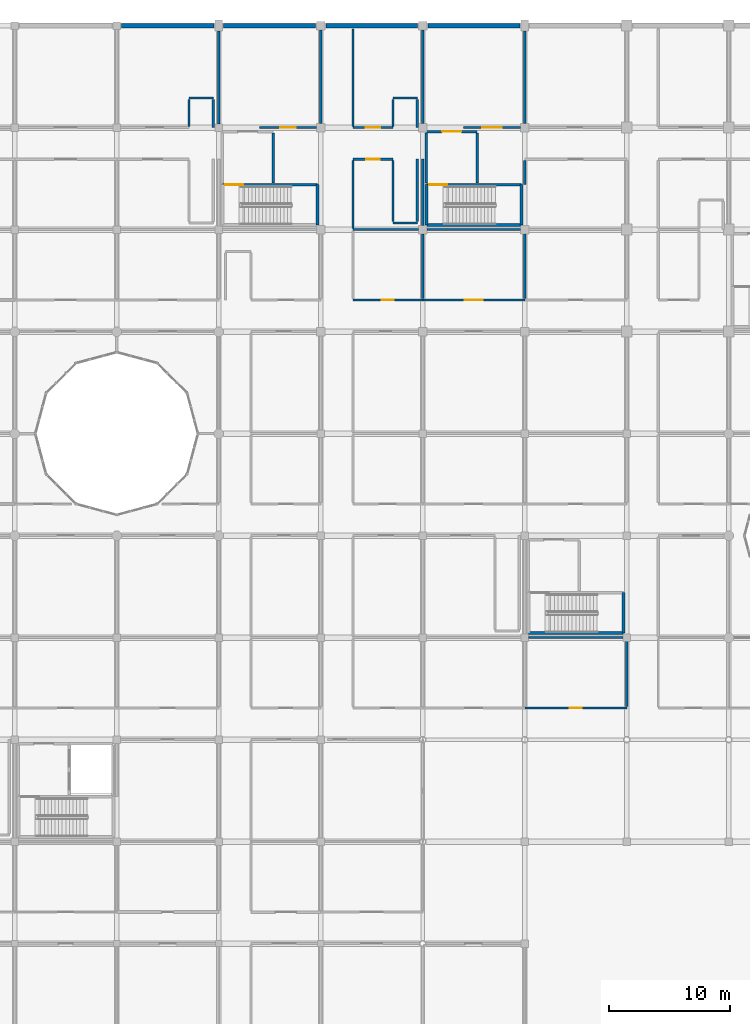
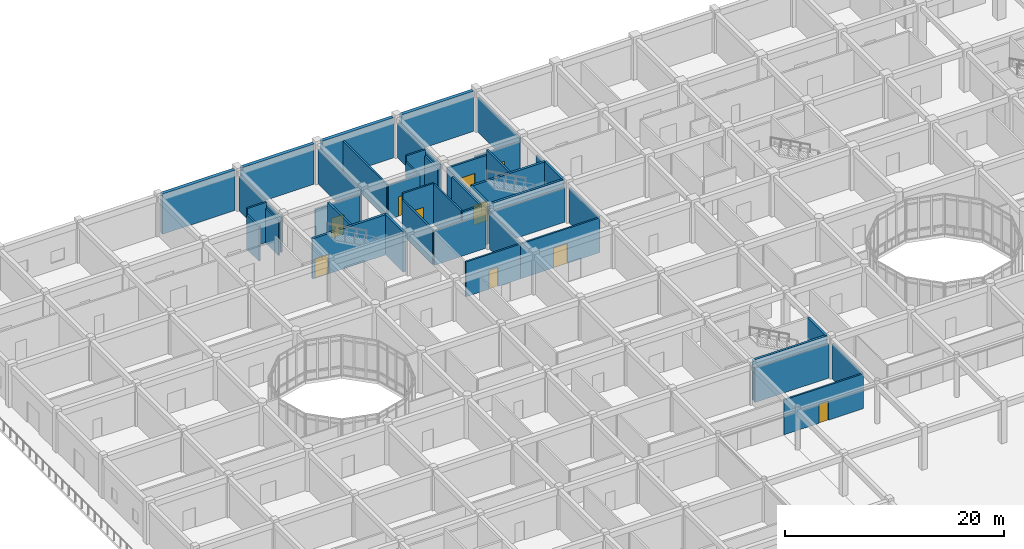
# One storey, part 101 of 138: 46 walls, 10 doors, 10 openings.
"""IFC4 building model written with IfcOpenShell, lengths in metres."""

from ifc_helpers import new_model, si_unit, direction, frame, frame_2d, origin, place, context, subcontext, project, spatial, rectangle, extrude, material, layer, layer_set, type_object, element, fill, save


model = new_model("IFC4")

# Units and contexts
model_context = context("Model", 3, precision=1e-05, world=origin(), true_north=direction((0.0, 1.0)))
body_context = subcontext(model_context, "Body", "Model", "MODEL_VIEW")
ifc_project = project(units=[si_unit("LENGTHUNIT", "METRE"), si_unit("AREAUNIT", "SQUARE_METRE"), si_unit("VOLUMEUNIT", "CUBIC_METRE"), si_unit("PLANEANGLEUNIT", "RADIAN"), si_unit("MASSUNIT", "GRAM", prefix="KILO")], contexts=[model_context])

# Site, building, storey
site_placement = place(None, origin())
site = spatial("IfcSite", under=ifc_project, at=site_placement, CompositionType="ELEMENT")
building_placement = place(site_placement, origin())
building = spatial("IfcBuilding", under=site, at=building_placement, Name="Bramfleet General Hospital", CompositionType="ELEMENT")
storey_placement = place(building_placement, origin())
storey = spatial("IfcBuildingStorey", under=building, at=storey_placement, Name="L00", CompositionType="ELEMENT", Elevation=0.0)

# Walls
ifc_material_1 = material(Name="Concrete C35/45", Category="concrete")
ifc_layer_1 = layer(ifc_material_1, 0.360107421875, Name="WT-EW-02")
ifc_layer_set_1 = layer_set([ifc_layer_1], Name="Concrete C35/45")
wall_type_1 = type_object("IfcWallType", Name="WT-EW-02", PredefinedType="SOLIDWALL", material=ifc_layer_set_1)
wall_1_placement = place(storey_placement, frame((25.574951171875, 117.60009765625, 0.0), z_axis=(0.0, 0.0, 1.0), x_axis=(1.0, 0.0, 0.0)))
element("IfcWall", 1, at=wall_1_placement, inside=storey, type_object=wall_type_1, Name="L00 North REI 90-M Party Wall 108", PredefinedType="SOLIDWALL", context=body_context, shape_type="SweptSolid", body=[
    extrude(rectangle(XDim=7.650146484375, YDim=0.360107421875, at=frame_2d((3.8251953125, 0.0))), origin(), (0.0, 0.0, 1.0), 4.5),
])
wall_2_placement = place(storey_placement, frame((33.97509765625, 117.60009765625, 0.0), z_axis=(0.0, 0.0, 1.0), x_axis=(1.0, 0.0, 0.0)))
element("IfcWall", 2, at=wall_2_placement, inside=storey, type_object=wall_type_1, Name="L00 North REI 90-M Party Wall 109", PredefinedType="SOLIDWALL", context=body_context, shape_type="SweptSolid", body=[
    extrude(rectangle(XDim=7.599853515625, YDim=0.360107421875, at=frame_2d((3.7998046875, 0.0))), origin(), (0.0, 0.0, 1.0), 4.5),
])
wall_3_placement = place(storey_placement, frame((42.425048828125, 117.60009765625, 0.0), z_axis=(0.0, 0.0, 1.0), x_axis=(1.0, 0.0, 0.0)))
element("IfcWall", 3, at=wall_3_placement, inside=storey, type_object=wall_type_1, Name="L00 North REI 90-M Party Wall 110", PredefinedType="SOLIDWALL", context=body_context, shape_type="SweptSolid", body=[
    extrude(rectangle(XDim=7.550048828125, YDim=0.360107421875, at=frame_2d((3.77490234375, 0.0))), origin(), (0.0, 0.0, 1.0), 4.5),
])
wall_4_placement = place(storey_placement, frame((50.824951171875, 117.60009765625, 0.0), z_axis=(0.0, 0.0, 1.0), x_axis=(1.0, 0.0, 0.0)))
element("IfcWall", 4, at=wall_4_placement, inside=storey, type_object=wall_type_1, Name="L00 North REI 90-M Party Wall 111", PredefinedType="SOLIDWALL", context=body_context, shape_type="SweptSolid", body=[
    extrude(rectangle(XDim=7.60009765625, YDim=0.360107421875, at=frame_2d((3.800048828125, 0.0))), origin(), (0.0, 0.0, 1.0), 4.5),
])
ifc_layer_2 = layer(ifc_material_1, 0.205078125, Name="WT-IW-02")
ifc_layer_set_2 = layer_set([ifc_layer_2], Name="Concrete C35/45")
wall_type_2 = type_object("IfcWallType", Name="WT-IW-02", PredefinedType="PARTITIONING", material=ifc_layer_set_2)
for number, where, z_axis, x_axis, name in (
    (5, (38.080078125, 104.639892578125, 0.0), (0.0, 0.0, 1.0), (0.0, 1.0, 0.0), "L00 C8 Lobby East Shaft Wall"),
    (6, (54.8798828125, 104.639892578125, 0.0), (0.0, 0.0, 1.0), (0.0, 1.0, 0.0), "L00 C14 Lobby East Shaft Wall"),
):
    element("IfcWall", number, at=place(storey_placement, frame(where, z_axis=z_axis, x_axis=x_axis)), inside=storey, type_object=wall_type_2, Name=name, PredefinedType="PARTITIONING", context=body_context, shape_type="SweptSolid", body=[
        extrude(rectangle(XDim=4.1201171875, YDim=0.205078125, at=frame_2d((2.06005859375, 0.0))), origin(), (0.0, 0.0, 1.0), 4.489990234375),
    ])
wall_5_placement = place(storey_placement, frame((50.699951171875, 104.639892578125, 0.0), z_axis=(0.0, 0.0, 1.0), x_axis=(0.0, 1.0, 0.0)))
element("IfcWall", 7, at=wall_5_placement, inside=storey, type_object=wall_type_2, Name="L00 C14 Lobby West Compartment Wall", PredefinedType="PARTITIONING", context=body_context, shape_type="SweptSolid", body=[
    extrude(rectangle(XDim=4.1201171875, YDim=0.205078125, at=frame_2d((2.06005859375, 0.0))), origin(), (0.0, 0.0, 1.0), 3.889892578125),
])

# Wall, opening, door
wall_6_placement = place(storey_placement, frame((50.699951171875, 108.8798828125, 0.0), z_axis=(0.0, 0.0, 1.0), x_axis=(1.0, 0.0, 0.0)))
wall_6 = element("IfcWall", 8, at=wall_6_placement, inside=storey, type_object=wall_type_2, Name="L00 C14 Lobby North Compartment Wall", PredefinedType="PARTITIONING", context=body_context, shape_type="SweptSolid", body=[
    extrude(rectangle(XDim=4.179931640625, YDim=0.205078125, at=frame_2d((2.08984375, 0.0))), origin(), (0.0, 0.0, 1.0), 3.840087890625),
])
opening_1_placement = place(wall_6_placement, frame((1.2900390625, 0.0, 0.0)))
opening_1 = element("IfcOpeningElement", 9, at=opening_1_placement, cuts=wall_6, Name="Opening D0178", PredefinedType="OPENING", context=body_context, shape_type="SweptSolid", body=[
    extrude(rectangle(XDim=1.60009765625, YDim=2.25, at=frame_2d((0.800048828125, 1.125))), frame((0.0, 0.112548828125, 0.0), z_axis=(0.0, -1.0, 0.0), x_axis=(1.0, 0.0, 0.0)), (0.0, 0.0, 1.0), 0.22509765625),
])
ifc_material_2 = material(Name="Stainless steel and acoustic timber leaf", Category="steel")
door_type_1 = type_object("IfcDoorType", Name="DR-D-04", OperationType="NOTDEFINED", PredefinedType="DOOR", material=ifc_material_2)
door_1_placement = place(opening_1_placement, origin())
door_1 = element("IfcDoor", 10, at=door_1_placement, inside=storey, type_object=door_type_1, Name="L00 C14 Lobby Fire Door D0178", OperationType="DOUBLE_SWING_LEFT", OverallHeight=2.25, OverallWidth=1.60009765625, PredefinedType="DOOR", context=body_context, shape_type="SweptSolid", body=[
    extrude(rectangle(XDim=1.60009765625, YDim=2.25, at=frame_2d((0.800048828125, 1.125))), frame((0.0, 0.02490234375, 0.0), z_axis=(0.0, -1.0, 0.0), x_axis=(1.0, 0.0, 0.0)), (0.0, 0.0, 1.0), 0.050048828125),
])
fill(opening_1, door_1)

ifc_layer_3 = layer(ifc_material_1, 0.179931640625, Name="WT-IW-04")
ifc_layer_set_3 = layer_set([ifc_layer_3], Name="Concrete C35/45")
wall_type_3 = type_object("IfcWallType", Name="WT-IW-04", PredefinedType="PARTITIONING", material=ifc_layer_set_3)
wall_7_placement = place(storey_placement, frame((58.800048828125, 61.39990234375, 0.0), z_axis=(0.0, 0.0, 1.0), x_axis=(1.0, 0.0, 0.0)))
wall_7 = element("IfcWall", 11, at=wall_7_placement, inside=storey, type_object=wall_type_3, Name="L00 Interior Partition IW-L00-0727", PredefinedType="PARTITIONING", context=body_context, shape_type="SweptSolid", body=[
    extrude(rectangle(XDim=8.39990234375, YDim=0.179931640625, at=frame_2d((4.199951171875, 0.0))), origin(), (0.0, 0.0, 1.0), 3.889892578125),
])
opening_2_placement = place(wall_7_placement, frame((3.699951171875, 0.0, 0.0)))
opening_2 = element("IfcOpeningElement", 12, at=opening_2_placement, cuts=wall_7, Name="Opening D0488", PredefinedType="OPENING", context=body_context, shape_type="SweptSolid", body=[
    extrude(rectangle(XDim=1.0, YDim=2.14990234375, at=frame_2d((0.5, 1.074951171875))), frame((0.0, 0.099853515625, 0.0), z_axis=(0.0, -1.0, 0.0), x_axis=(1.0, 0.0, 0.0)), (0.0, 0.0, 1.0), 0.199951171875),
])
door_type_2 = type_object("IfcDoorType", Name="DR-D-08", OperationType="NOTDEFINED", PredefinedType="DOOR", material=ifc_material_2)
door_2_placement = place(opening_2_placement, origin())
door_2 = element("IfcDoor", 13, at=door_2_placement, inside=storey, type_object=door_type_2, Name="Diagnostic Ultrasound and Fluoroscopy 0707 Door D0488", OperationType="SINGLE_SWING_LEFT", OverallHeight=2.14990234375, OverallWidth=1.0, PredefinedType="DOOR", context=body_context, shape_type="SweptSolid", body=[
    extrude(rectangle(XDim=1.0, YDim=2.14990234375, at=frame_2d((0.5, 1.074951171875))), frame((0.0, 0.02490234375, 0.0), z_axis=(0.0, -1.0, 0.0), x_axis=(1.0, 0.0, 0.0)), (0.0, 0.0, 1.0), 0.050048828125),
])
fill(opening_2, door_2)

# Wall
wall_8_placement = place(storey_placement, frame((59.094970703125, 67.199951171875, 0.0), z_axis=(0.0, 0.0, 1.0), x_axis=(1.0, 0.0, 0.0)))
element("IfcWall", 14, at=wall_8_placement, inside=storey, type_object=wall_type_3, Name="L00 Interior Partition IW-L00-0742", PredefinedType="PARTITIONING", context=body_context, shape_type="SweptSolid", body=[
    extrude(rectangle(XDim=7.81005859375, YDim=0.179931640625, at=frame_2d((3.905029296875, 0.0))), origin(), (0.0, 0.0, 1.0), 3.840087890625),
])

# Wall, opening, door
wall_9_placement = place(storey_placement, frame((44.64990234375, 95.0, 0.0), z_axis=(0.0, 0.0, 1.0), x_axis=(1.0, 0.0, 0.0)))
wall_9 = element("IfcWall", 15, at=wall_9_placement, inside=storey, type_object=wall_type_3, Name="L00 Interior Partition IW-L00-0825", PredefinedType="PARTITIONING", context=body_context, shape_type="SweptSolid", body=[
    extrude(rectangle(XDim=5.75, YDim=0.179931640625, at=frame_2d((2.875, 0.0))), origin(), (0.0, 0.0, 1.0), 3.889892578125),
])
opening_3_placement = place(wall_9_placement, frame((2.385009765625, 0.0, 0.0)))
opening_3 = element("IfcOpeningElement", 16, at=opening_3_placement, cuts=wall_9, Name="Opening D0474", PredefinedType="OPENING", context=body_context, shape_type="SweptSolid", body=[
    extrude(rectangle(XDim=0.97998046875, YDim=2.1201171875, at=frame_2d((0.489990234375, 1.06005859375))), frame((0.0, 0.099853515625, 0.0), z_axis=(0.0, -1.0, 0.0), x_axis=(1.0, 0.0, 0.0)), (0.0, 0.0, 1.0), 0.199951171875),
])
door_type_3 = type_object("IfcDoorType", Name="DR-D-26", OperationType="NOTDEFINED", PredefinedType="DOOR", material=ifc_material_2)
door_3_placement = place(opening_3_placement, origin())
door_3 = element("IfcDoor", 17, at=door_3_placement, inside=storey, type_object=door_type_3, Name="Diagnostic Imaging CT and Radiography 0511 Door D0474", OperationType="SINGLE_SWING_LEFT", OverallHeight=2.1201171875, OverallWidth=0.97998046875, PredefinedType="DOOR", context=body_context, shape_type="SweptSolid", body=[
    extrude(rectangle(XDim=0.97998046875, YDim=2.1201171875, at=frame_2d((0.489990234375, 1.06005859375))), frame((0.0, 0.02490234375, 0.0), z_axis=(0.0, -1.0, 0.0), x_axis=(1.0, 0.0, 0.0)), (0.0, 0.0, 1.0), 0.050048828125),
])
fill(opening_3, door_3)

wall_10_placement = place(storey_placement, frame((50.39990234375, 95.0, 0.0), z_axis=(0.0, 0.0, 1.0), x_axis=(1.0, 0.0, 0.0)))
wall_10 = element("IfcWall", 18, at=wall_10_placement, inside=storey, type_object=wall_type_3, Name="L00 Interior Partition IW-L00-0826", PredefinedType="PARTITIONING", context=body_context, shape_type="SweptSolid", body=[
    extrude(rectangle(XDim=8.400146484375, YDim=0.179931640625, at=frame_2d((4.2001953125, 0.0))), origin(), (0.0, 0.0, 1.0), 3.889892578125),
])
opening_4_placement = place(wall_10_placement, frame((3.47509765625, 0.0, 0.0)))
opening_4 = element("IfcOpeningElement", 19, at=opening_4_placement, cuts=wall_10, Name="Opening D0483", PredefinedType="OPENING", context=body_context, shape_type="SweptSolid", body=[
    extrude(rectangle(XDim=1.449951171875, YDim=2.199951171875, at=frame_2d((0.72509765625, 1.10009765625))), frame((0.0, 0.099853515625, 0.0), z_axis=(0.0, -1.0, 0.0), x_axis=(1.0, 0.0, 0.0)), (0.0, 0.0, 1.0), 0.199951171875),
])
door_type_4 = type_object("IfcDoorType", Name="DR-D-03", OperationType="NOTDEFINED", PredefinedType="DOOR", material=ifc_material_2)
door_4_placement = place(opening_4_placement, origin())
door_4 = element("IfcDoor", 20, at=door_4_placement, inside=storey, type_object=door_type_4, Name="Diagnostic Imaging CT and Radiography 0611 Door D0483", OperationType="SINGLE_SWING_RIGHT", OverallHeight=2.199951171875, OverallWidth=1.449951171875, PredefinedType="DOOR", context=body_context, shape_type="SweptSolid", body=[
    extrude(rectangle(XDim=1.449951171875, YDim=2.199951171875, at=frame_2d((0.72509765625, 1.10009765625))), frame((0.0, 0.02490234375, 0.0), z_axis=(0.0, -1.0, 0.0), x_axis=(1.0, 0.0, 0.0)), (0.0, 0.0, 1.0), 0.050048828125),
])
fill(opening_4, door_4)

# Walls
wall_11_placement = place(storey_placement, frame((44.64990234375, 100.800048828125, 0.0), z_axis=(0.0, 0.0, 1.0), x_axis=(1.0, 0.0, 0.0)))
element("IfcWall", 21, at=wall_11_placement, inside=storey, type_object=wall_type_3, Name="L00 Interior Partition IW-L00-0844", PredefinedType="PARTITIONING", context=body_context, shape_type="SweptSolid", body=[
    extrude(rectangle(XDim=5.405029296875, YDim=0.179931640625, at=frame_2d((2.70263671875, 0.0))), origin(), (0.0, 0.0, 1.0), 3.840087890625),
])
wall_12_placement = place(storey_placement, frame((50.7451171875, 100.800048828125, 0.0), z_axis=(0.0, 0.0, 1.0), x_axis=(1.0, 0.0, 0.0)))
element("IfcWall", 22, at=wall_12_placement, inside=storey, type_object=wall_type_3, Name="L00 Interior Partition IW-L00-0845", PredefinedType="PARTITIONING", context=body_context, shape_type="SweptSolid", body=[
    extrude(rectangle(XDim=7.7099609375, YDim=0.179931640625, at=frame_2d((3.85498046875, 0.0))), origin(), (0.0, 0.0, 1.0), 3.840087890625),
])
wall_13_placement = place(storey_placement, frame((47.949951171875, 101.35009765625, 0.0), z_axis=(0.0, 0.0, 1.0), x_axis=(1.0, 0.0, 0.0)))
element("IfcWall", 23, at=wall_13_placement, inside=storey, type_object=wall_type_3, Name="L00 Interior Partition IW-L00-0862", PredefinedType="PARTITIONING", context=body_context, shape_type="SweptSolid", body=[
    extrude(rectangle(XDim=2.0, YDim=0.179931640625, at=frame_2d((1.0, 0.0))), origin(), (0.0, 0.0, 1.0), 4.489990234375),
])

# Wall, opening, door
wall_14_placement = place(storey_placement, frame((44.64990234375, 106.60009765625, 0.0), z_axis=(0.0, 0.0, 1.0), x_axis=(1.0, 0.0, 0.0)))
wall_14 = element("IfcWall", 24, at=wall_14_placement, inside=storey, type_object=wall_type_3, Name="L00 Interior Partition IW-L00-0871", PredefinedType="PARTITIONING", context=body_context, shape_type="SweptSolid", body=[
    extrude(rectangle(XDim=3.300048828125, YDim=0.179931640625, at=frame_2d((1.64990234375, 0.0))), origin(), (0.0, 0.0, 1.0), 4.489990234375),
])
opening_5_placement = place(wall_14_placement, frame((1.090087890625, 0.0, 0.0)))
opening_5 = element("IfcOpeningElement", 25, at=opening_5_placement, cuts=wall_14, Name="Opening D0475", PredefinedType="OPENING", context=body_context, shape_type="SweptSolid", body=[
    extrude(rectangle(XDim=1.1201171875, YDim=2.179931640625, at=frame_2d((0.56005859375, 1.08984375))), frame((0.0, 0.099853515625, 0.0), z_axis=(0.0, -1.0, 0.0), x_axis=(1.0, 0.0, 0.0)), (0.0, 0.0, 1.0), 0.199951171875),
])
door_type_5 = type_object("IfcDoorType", Name="DR-D-27", OperationType="NOTDEFINED", PredefinedType="DOOR", material=ifc_material_2)
door_5_placement = place(opening_5_placement, origin())
door_5 = element("IfcDoor", 26, at=door_5_placement, inside=storey, type_object=door_type_5, Name="Diagnostic Imaging CT and Radiography 0512 Door D0475", OperationType="SINGLE_SWING_RIGHT", OverallHeight=2.179931640625, OverallWidth=1.1201171875, PredefinedType="DOOR", context=body_context, shape_type="SweptSolid", body=[
    extrude(rectangle(XDim=1.1201171875, YDim=2.179931640625, at=frame_2d((0.56005859375, 1.08984375))), frame((0.0, 0.02490234375, 0.0), z_axis=(0.0, -1.0, 0.0), x_axis=(1.0, 0.0, 0.0)), (0.0, 0.0, 1.0), 0.050048828125),
])
fill(opening_5, door_5)

wall_15_placement = place(storey_placement, frame((36.949951171875, 109.199951171875, 0.0), z_axis=(0.0, 0.0, 1.0), x_axis=(1.0, 0.0, 0.0)))
wall_15 = element("IfcWall", 27, at=wall_15_placement, inside=storey, type_object=wall_type_3, Name="L00 Interior Partition IW-L00-0889", PredefinedType="PARTITIONING", context=body_context, shape_type="SweptSolid", body=[
    extrude(rectangle(XDim=4.705078125, YDim=0.179931640625, at=frame_2d((2.3525390625, 0.0))), origin(), (0.0, 0.0, 1.0), 3.840087890625),
])
opening_6_placement = place(wall_15_placement, frame((1.7275390625, 0.0, 0.0)))
opening_6 = element("IfcOpeningElement", 28, at=opening_6_placement, cuts=wall_15, Name="Opening D0462", PredefinedType="OPENING", context=body_context, shape_type="SweptSolid", body=[
    extrude(rectangle(XDim=1.25, YDim=2.199951171875, at=frame_2d((0.625, 1.10009765625))), frame((0.0, 0.099853515625, 0.0), z_axis=(0.0, -1.0, 0.0), x_axis=(1.0, 0.0, 0.0)), (0.0, 0.0, 1.0), 0.199951171875),
])
door_type_6 = type_object("IfcDoorType", Name="DR-D-14", OperationType="NOTDEFINED", PredefinedType="DOOR", material=ifc_material_2)
door_6_placement = place(opening_6_placement, origin())
door_6 = element("IfcDoor", 29, at=door_6_placement, inside=storey, type_object=door_type_6, Name="Diagnostic Imaging CT and Radiography 0413 Door D0462", OperationType="SINGLE_SWING_LEFT", OverallHeight=2.199951171875, OverallWidth=1.25, PredefinedType="DOOR", context=body_context, shape_type="SweptSolid", body=[
    extrude(rectangle(XDim=1.25, YDim=2.199951171875, at=frame_2d((0.625, 1.10009765625))), frame((0.0, 0.02490234375, 0.0), z_axis=(0.0, -1.0, 0.0), x_axis=(1.0, 0.0, 0.0)), (0.0, 0.0, 1.0), 0.050048828125),
])
fill(opening_6, door_6)

wall_16_placement = place(storey_placement, frame((44.64990234375, 109.199951171875, 0.0), z_axis=(0.0, 0.0, 1.0), x_axis=(1.0, 0.0, 0.0)))
wall_16 = element("IfcWall", 30, at=wall_16_placement, inside=storey, type_object=wall_type_3, Name="L00 Interior Partition IW-L00-0890", PredefinedType="PARTITIONING", context=body_context, shape_type="SweptSolid", body=[
    extrude(rectangle(XDim=3.300048828125, YDim=0.179931640625, at=frame_2d((1.64990234375, 0.0))), origin(), (0.0, 0.0, 1.0), 3.840087890625),
])
opening_7_placement = place(wall_16_placement, frame((1.06005859375, 0.0, 0.0)))
opening_7 = element("IfcOpeningElement", 31, at=opening_7_placement, cuts=wall_16, Name="Opening D0476", PredefinedType="OPENING", context=body_context, shape_type="SweptSolid", body=[
    extrude(rectangle(XDim=1.179931640625, YDim=2.179931640625, at=frame_2d((0.58984375, 1.08984375))), frame((0.0, 0.099853515625, 0.0), z_axis=(0.0, -1.0, 0.0), x_axis=(1.0, 0.0, 0.0)), (0.0, 0.0, 1.0), 0.199951171875),
])
door_type_7 = type_object("IfcDoorType", Name="DR-D-28", OperationType="NOTDEFINED", PredefinedType="DOOR", material=ifc_material_2)
door_7_placement = place(opening_7_placement, origin())
door_7 = element("IfcDoor", 32, at=door_7_placement, inside=storey, type_object=door_type_7, Name="Diagnostic Imaging CT and Radiography 0513 Door D0476", OperationType="SINGLE_SWING_LEFT", OverallHeight=2.179931640625, OverallWidth=1.179931640625, PredefinedType="DOOR", context=body_context, shape_type="SweptSolid", body=[
    extrude(rectangle(XDim=1.179931640625, YDim=2.179931640625, at=frame_2d((0.58984375, 1.08984375))), frame((0.0, 0.02490234375, 0.0), z_axis=(0.0, -1.0, 0.0), x_axis=(1.0, 0.0, 0.0)), (0.0, 0.0, 1.0), 0.050048828125),
])
fill(opening_7, door_7)

wall_17_placement = place(storey_placement, frame((53.75, 109.199951171875, 0.0), z_axis=(0.0, 0.0, 1.0), x_axis=(1.0, 0.0, 0.0)))
wall_17 = element("IfcWall", 33, at=wall_17_placement, inside=storey, type_object=wall_type_3, Name="L00 Interior Partition IW-L00-0891", PredefinedType="PARTITIONING", context=body_context, shape_type="SweptSolid", body=[
    extrude(rectangle(XDim=4.705078125, YDim=0.179931640625, at=frame_2d((2.3525390625, 0.0))), origin(), (0.0, 0.0, 1.0), 3.840087890625),
])
opening_8_placement = place(wall_17_placement, frame((1.552490234375, 0.0, 0.0)))
opening_8 = element("IfcOpeningElement", 34, at=opening_8_placement, cuts=wall_17, Name="Opening D0484", PredefinedType="OPENING", context=body_context, shape_type="SweptSolid", body=[
    extrude(rectangle(XDim=1.60009765625, YDim=2.25, at=frame_2d((0.800048828125, 1.125))), frame((0.0, 0.099853515625, 0.0), z_axis=(0.0, -1.0, 0.0), x_axis=(1.0, 0.0, 0.0)), (0.0, 0.0, 1.0), 0.199951171875),
])
door_8_placement = place(opening_8_placement, origin())
door_8 = element("IfcDoor", 35, at=door_8_placement, inside=storey, type_object=door_type_1, Name="Diagnostic Imaging CT and Radiography 0613 Door D0484", OperationType="DOUBLE_SWING_LEFT", OverallHeight=2.25, OverallWidth=1.60009765625, PredefinedType="DOOR", context=body_context, shape_type="SweptSolid", body=[
    extrude(rectangle(XDim=1.60009765625, YDim=2.25, at=frame_2d((0.800048828125, 1.125))), frame((0.0, 0.02490234375, 0.0), z_axis=(0.0, -1.0, 0.0), x_axis=(1.0, 0.0, 0.0)), (0.0, 0.0, 1.0), 0.050048828125),
])
fill(opening_8, door_8)

# Walls
for number, where, z_axis, x_axis, name in (
    (36, (31.14990234375, 111.64990234375, 0.0), (0.0, 0.0, 1.0), (1.0, 0.0, 0.0), "L00 Interior Partition IW-L00-0903"),
    (37, (47.949951171875, 111.64990234375, 0.0), (0.0, 0.0, 1.0), (1.0, 0.0, 0.0), "L00 Interior Partition IW-L00-0904"),
):
    element("IfcWall", number, at=place(storey_placement, frame(where, z_axis=z_axis, x_axis=x_axis)), inside=storey, type_object=wall_type_3, Name=name, PredefinedType="PARTITIONING", context=body_context, shape_type="SweptSolid", body=[
        extrude(rectangle(XDim=2.0, YDim=0.179931640625, at=frame_2d((1.0, 0.0))), origin(), (0.0, 0.0, 1.0), 4.489990234375),
    ])
wall_18_placement = place(storey_placement, frame((31.14990234375, 109.31494140625, 0.0), z_axis=(0.0, 0.0, 1.0), x_axis=(0.0, 1.0, 0.0)))
element("IfcWall", 38, at=wall_18_placement, inside=storey, type_object=wall_type_3, Name="L00 Interior Partition IW-L00-0954", PredefinedType="PARTITIONING", context=body_context, shape_type="SweptSolid", body=[
    extrude(rectangle(XDim=2.219970703125, YDim=0.179931640625, at=frame_2d((1.10986328125, 0.0))), origin(), (0.0, 0.0, 1.0), 3.840087890625),
])
wall_19_placement = place(storey_placement, frame((33.14990234375, 109.199951171875, 0.0), z_axis=(0.0, 0.0, 1.0), x_axis=(0.0, 1.0, 0.0)))
element("IfcWall", 39, at=wall_19_placement, inside=storey, type_object=wall_type_3, Name="L00 Interior Partition IW-L00-0956", PredefinedType="PARTITIONING", context=body_context, shape_type="SweptSolid", body=[
    extrude(rectangle(XDim=2.3349609375, YDim=0.179931640625, at=frame_2d((1.16748046875, 0.0))), origin(), (0.0, 0.0, 1.0), 3.840087890625),
])
wall_20_placement = place(storey_placement, frame((33.60009765625, 109.4951171875, 0.0), z_axis=(0.0, 0.0, 1.0), x_axis=(0.0, 1.0, 0.0)))
element("IfcWall", 40, at=wall_20_placement, inside=storey, type_object=wall_type_3, Name="L00 Interior Partition IW-L00-0969", PredefinedType="PARTITIONING", context=body_context, shape_type="SweptSolid", body=[
    extrude(rectangle(XDim=7.659912109375, YDim=0.179931640625, at=frame_2d((3.830078125, 0.0))), origin(), (0.0, 0.0, 1.0), 3.889892578125),
])
wall_21_placement = place(storey_placement, frame((42.0, 109.544921875, 0.0), z_axis=(0.0, 0.0, 1.0), x_axis=(0.0, 1.0, 0.0)))
element("IfcWall", 41, at=wall_21_placement, inside=storey, type_object=wall_type_3, Name="L00 Interior Partition IW-L00-0995", PredefinedType="PARTITIONING", context=body_context, shape_type="SweptSolid", body=[
    extrude(rectangle(XDim=7.7099609375, YDim=0.179931640625, at=frame_2d((3.85498046875, 0.0))), origin(), (0.0, 0.0, 1.0), 3.889892578125),
])
wall_22_placement = place(storey_placement, frame((44.64990234375, 100.9150390625, 0.0), z_axis=(0.0, 0.0, 1.0), x_axis=(0.0, 1.0, 0.0)))
element("IfcWall", 42, at=wall_22_placement, inside=storey, type_object=wall_type_3, Name="L00 Interior Partition IW-L00-1001", PredefinedType="PARTITIONING", context=body_context, shape_type="SweptSolid", body=[
    extrude(rectangle(XDim=5.570068359375, YDim=0.179931640625, at=frame_2d((2.78515625, 0.0))), origin(), (0.0, 0.0, 1.0), 3.840087890625),
])
wall_23_placement = place(storey_placement, frame((44.64990234375, 109.31494140625, 0.0), z_axis=(0.0, 0.0, 1.0), x_axis=(0.0, 1.0, 0.0)))
element("IfcWall", 43, at=wall_23_placement, inside=storey, type_object=wall_type_3, Name="L00 Interior Partition IW-L00-1002", PredefinedType="PARTITIONING", context=body_context, shape_type="SweptSolid", body=[
    extrude(rectangle(XDim=8.005126953125, YDim=0.179931640625, at=frame_2d((4.00244140625, 0.0))), origin(), (0.0, 0.0, 1.0), 3.840087890625),
])
wall_24_placement = place(storey_placement, frame((47.949951171875, 101.465087890625, 0.0), z_axis=(0.0, 0.0, 1.0), x_axis=(0.0, 1.0, 0.0)))
element("IfcWall", 44, at=wall_24_placement, inside=storey, type_object=wall_type_3, Name="L00 Interior Partition IW-L00-1005", PredefinedType="PARTITIONING", context=body_context, shape_type="SweptSolid", body=[
    extrude(rectangle(XDim=5.02001953125, YDim=0.179931640625, at=frame_2d((2.510009765625, 0.0))), origin(), (0.0, 0.0, 1.0), 4.489990234375),
])
wall_25_placement = place(storey_placement, frame((47.949951171875, 109.31494140625, 0.0), z_axis=(0.0, 0.0, 1.0), x_axis=(0.0, 1.0, 0.0)))
element("IfcWall", 45, at=wall_25_placement, inside=storey, type_object=wall_type_3, Name="L00 Interior Partition IW-L00-1006", PredefinedType="PARTITIONING", context=body_context, shape_type="SweptSolid", body=[
    extrude(rectangle(XDim=2.219970703125, YDim=0.179931640625, at=frame_2d((1.10986328125, 0.0))), origin(), (0.0, 0.0, 1.0), 3.840087890625),
])
wall_26_placement = place(storey_placement, frame((49.949951171875, 101.465087890625, 0.0), z_axis=(0.0, 0.0, 1.0), x_axis=(0.0, 1.0, 0.0)))
element("IfcWall", 46, at=wall_26_placement, inside=storey, type_object=wall_type_3, Name="L00 Interior Partition IW-L00-1009", PredefinedType="PARTITIONING", context=body_context, shape_type="SweptSolid", body=[
    extrude(rectangle(XDim=5.135009765625, YDim=0.179931640625, at=frame_2d((2.5673828125, 0.0))), origin(), (0.0, 0.0, 1.0), 4.489990234375),
])
wall_27_placement = place(storey_placement, frame((49.949951171875, 109.199951171875, 0.0), z_axis=(0.0, 0.0, 1.0), x_axis=(0.0, 1.0, 0.0)))
element("IfcWall", 47, at=wall_27_placement, inside=storey, type_object=wall_type_3, Name="L00 Interior Partition IW-L00-1010", PredefinedType="PARTITIONING", context=body_context, shape_type="SweptSolid", body=[
    extrude(rectangle(XDim=2.3349609375, YDim=0.179931640625, at=frame_2d((1.16748046875, 0.0))), origin(), (0.0, 0.0, 1.0), 3.840087890625),
])
wall_28_placement = place(storey_placement, frame((50.39990234375, 95.114990234375, 0.0), z_axis=(0.0, 0.0, 1.0), x_axis=(0.0, 1.0, 0.0)))
element("IfcWall", 48, at=wall_28_placement, inside=storey, type_object=wall_type_3, Name="L00 Interior Partition IW-L00-1020", PredefinedType="PARTITIONING", context=body_context, shape_type="SweptSolid", body=[
    extrude(rectangle(XDim=5.340087890625, YDim=0.179931640625, at=frame_2d((2.669921875, 0.0))), origin(), (0.0, 0.0, 1.0), 3.889892578125),
])
wall_29_placement = place(storey_placement, frame((50.39990234375, 101.14501953125, 0.0), z_axis=(0.0, 0.0, 1.0), x_axis=(0.0, 1.0, 0.0)))
element("IfcWall", 49, at=wall_29_placement, inside=storey, type_object=wall_type_3, Name="L00 Interior Partition IW-L00-1021", PredefinedType="PARTITIONING", context=body_context, shape_type="SweptSolid", body=[
    extrude(rectangle(XDim=5.455078125, YDim=0.179931640625, at=frame_2d((2.7275390625, 0.0))), origin(), (0.0, 0.0, 1.0), 3.889892578125),
])
wall_30_placement = place(storey_placement, frame((50.39990234375, 109.544921875, 0.0), z_axis=(0.0, 0.0, 1.0), x_axis=(0.0, 1.0, 0.0)))
element("IfcWall", 50, at=wall_30_placement, inside=storey, type_object=wall_type_3, Name="L00 Interior Partition IW-L00-1022", PredefinedType="PARTITIONING", context=body_context, shape_type="SweptSolid", body=[
    extrude(rectangle(XDim=7.7099609375, YDim=0.179931640625, at=frame_2d((3.85498046875, 0.0))), origin(), (0.0, 0.0, 1.0), 3.889892578125),
])
wall_31_placement = place(storey_placement, frame((58.800048828125, 95.114990234375, 0.0), z_axis=(0.0, 0.0, 1.0), x_axis=(0.0, 1.0, 0.0)))
element("IfcWall", 51, at=wall_31_placement, inside=storey, type_object=wall_type_3, Name="L00 Interior Partition IW-L00-1032", PredefinedType="PARTITIONING", context=body_context, shape_type="SweptSolid", body=[
    extrude(rectangle(XDim=5.340087890625, YDim=0.179931640625, at=frame_2d((2.669921875, 0.0))), origin(), (0.0, 0.0, 1.0), 3.889892578125),
])
wall_32_placement = place(storey_placement, frame((58.800048828125, 104.5, 0.0), z_axis=(0.0, 0.0, 1.0), x_axis=(0.0, 1.0, 0.0)))
element("IfcWall", 52, at=wall_32_placement, inside=storey, type_object=wall_type_3, Name="L00 Interior Partition IW-L00-1033", PredefinedType="PARTITIONING", context=body_context, shape_type="SweptSolid", body=[
    extrude(rectangle(XDim=1.985107421875, YDim=0.179931640625, at=frame_2d((0.99267578125, 0.0))), origin(), (0.0, 0.0, 1.0), 3.889892578125),
])
wall_33_placement = place(storey_placement, frame((58.800048828125, 109.544921875, 0.0), z_axis=(0.0, 0.0, 1.0), x_axis=(0.0, 1.0, 0.0)))
element("IfcWall", 53, at=wall_33_placement, inside=storey, type_object=wall_type_3, Name="L00 Interior Partition IW-L00-1034", PredefinedType="PARTITIONING", context=body_context, shape_type="SweptSolid", body=[
    extrude(rectangle(XDim=7.610107421875, YDim=0.179931640625, at=frame_2d((3.80517578125, 0.0))), origin(), (0.0, 0.0, 1.0), 3.889892578125),
])
wall_34_placement = place(storey_placement, frame((67.199951171875, 61.514892578125, 0.0), z_axis=(0.0, 0.0, 1.0), x_axis=(0.0, 1.0, 0.0)))
element("IfcWall", 54, at=wall_34_placement, inside=storey, type_object=wall_type_3, Name="L00 Interior Partition IW-L00-1038", PredefinedType="PARTITIONING", context=body_context, shape_type="SweptSolid", body=[
    extrude(rectangle(XDim=5.39013671875, YDim=0.179931640625, at=frame_2d((2.695068359375, 0.0))), origin(), (0.0, 0.0, 1.0), 3.889892578125),
])
ifc_material_3 = material(Name="Concrete C40/50", Category="concrete")
ifc_layer_4 = layer(ifc_material_3, 0.239990234375, Name="WT-SW-240")
ifc_layer_set_4 = layer_set([ifc_layer_4], Name="Concrete C40/50")
wall_type_4 = type_object("IfcWallType", Name="WT-SW-240", PredefinedType="SHEAR", material=ifc_layer_set_4)
wall_35_placement = place(storey_placement, frame((41.719970703125, 101.179931640625, 0.0), z_axis=(0.0, 0.0, 1.0), x_axis=(0.0, 1.0, 0.0)))
element("IfcWall", 55, at=wall_35_placement, inside=storey, type_object=wall_type_4, Name="L00 C8 East Stair Shear Wall", PredefinedType="SHEAR", context=body_context, shape_type="SweptSolid", body=[
    extrude(rectangle(XDim=3.320068359375, YDim=0.239990234375, at=frame_2d((1.66015625, 0.0))), origin(), (0.0, 0.0, 1.0), 4.5),
])

# Wall, opening, door
wall_36_placement = place(storey_placement, frame((33.89990234375, 104.5, 0.0), z_axis=(0.0, 0.0, 1.0), x_axis=(1.0, 0.0, 0.0)))
wall_36 = element("IfcWall", 56, at=wall_36_placement, inside=storey, type_object=wall_type_4, Name="L00 C8 Stair-Lobby Shear Wall", PredefinedType="SHEAR", context=body_context, shape_type="SweptSolid", body=[
    extrude(rectangle(XDim=7.820068359375, YDim=0.239990234375, at=frame_2d((3.91015625, 0.0))), origin(), (0.0, 0.0, 1.0), 4.5),
])
opening_9_placement = place(wall_36_placement, frame((0.25, 0.0, 0.0)))
opening_9 = element("IfcOpeningElement", 57, at=opening_9_placement, cuts=wall_36, Name="Opening D0099", PredefinedType="OPENING", context=body_context, shape_type="SweptSolid", body=[
    extrude(rectangle(XDim=1.449951171875, YDim=2.199951171875, at=frame_2d((0.72509765625, 1.10009765625))), frame((0.0, 0.1298828125, 0.0), z_axis=(0.0, -1.0, 0.0), x_axis=(1.0, 0.0, 0.0)), (0.0, 0.0, 1.0), 0.260009765625),
])
door_9_placement = place(opening_9_placement, origin())
door_9 = element("IfcDoor", 58, at=door_9_placement, inside=storey, type_object=door_type_4, Name="L00 C8 Escape Stair Fire Door D0099", OperationType="SINGLE_SWING_RIGHT", OverallHeight=2.199951171875, OverallWidth=1.449951171875, PredefinedType="DOOR", context=body_context, shape_type="SweptSolid", body=[
    extrude(rectangle(XDim=1.449951171875, YDim=2.199951171875, at=frame_2d((0.72509765625, 1.10009765625))), frame((0.0, 0.02490234375, 0.0), z_axis=(0.0, -1.0, 0.0), x_axis=(1.0, 0.0, 0.0)), (0.0, 0.0, 1.0), 0.050048828125),
])
fill(opening_9, door_9)

# Walls
wall_37_placement = place(storey_placement, frame((59.10009765625, 67.580078125, 0.0), z_axis=(0.0, 0.0, 1.0), x_axis=(1.0, 0.0, 0.0)))
element("IfcWall", 59, at=wall_37_placement, inside=storey, type_object=wall_type_4, Name="L00 C13 South Stair Shear Wall", PredefinedType="SHEAR", context=body_context, shape_type="SweptSolid", body=[
    extrude(rectangle(XDim=7.81982421875, YDim=0.239990234375, at=frame_2d((3.909912109375, 0.0))), origin(), (0.0, 0.0, 1.0), 4.5),
])
wall_38_placement = place(storey_placement, frame((66.919921875, 67.580078125, 0.0), z_axis=(0.0, 0.0, 1.0), x_axis=(0.0, 1.0, 0.0)))
element("IfcWall", 60, at=wall_38_placement, inside=storey, type_object=wall_type_4, Name="L00 C13 East Stair Shear Wall", PredefinedType="SHEAR", context=body_context, shape_type="SweptSolid", body=[
    extrude(rectangle(XDim=3.31982421875, YDim=0.239990234375, at=frame_2d((1.659912109375, 0.0))), origin(), (0.0, 0.0, 1.0), 4.5),
])
wall_39_placement = place(storey_placement, frame((50.699951171875, 101.179931640625, 0.0), z_axis=(0.0, 0.0, 1.0), x_axis=(1.0, 0.0, 0.0)))
element("IfcWall", 61, at=wall_39_placement, inside=storey, type_object=wall_type_4, Name="L00 C14 South Stair Shear Wall", PredefinedType="SHEAR", context=body_context, shape_type="SweptSolid", body=[
    extrude(rectangle(XDim=7.820068359375, YDim=0.239990234375, at=frame_2d((3.91015625, 0.0))), origin(), (0.0, 0.0, 1.0), 4.5),
])
for number, where, z_axis, x_axis, name in (
    (62, (50.699951171875, 101.179931640625, 0.0), (0.0, 0.0, 1.0), (0.0, 1.0, 0.0), "L00 C14 West Stair Shear Wall"),
    (63, (58.52001953125, 101.179931640625, 0.0), (0.0, 0.0, 1.0), (0.0, 1.0, 0.0), "L00 C14 East Stair Shear Wall"),
):
    element("IfcWall", number, at=place(storey_placement, frame(where, z_axis=z_axis, x_axis=x_axis)), inside=storey, type_object=wall_type_4, Name=name, PredefinedType="SHEAR", context=body_context, shape_type="SweptSolid", body=[
        extrude(rectangle(XDim=3.320068359375, YDim=0.239990234375, at=frame_2d((1.66015625, 0.0))), origin(), (0.0, 0.0, 1.0), 4.5),
    ])

# Wall, opening, door
wall_40_placement = place(storey_placement, frame((50.699951171875, 104.5, 0.0), z_axis=(0.0, 0.0, 1.0), x_axis=(1.0, 0.0, 0.0)))
wall_40 = element("IfcWall", 64, at=wall_40_placement, inside=storey, type_object=wall_type_4, Name="L00 C14 Stair-Lobby Shear Wall", PredefinedType="SHEAR", context=body_context, shape_type="SweptSolid", body=[
    extrude(rectangle(XDim=7.820068359375, YDim=0.239990234375, at=frame_2d((3.91015625, 0.0))), origin(), (0.0, 0.0, 1.0), 4.5),
])
opening_10_placement = place(wall_40_placement, frame((0.25, 0.0, 0.0)))
opening_10 = element("IfcOpeningElement", 65, at=opening_10_placement, cuts=wall_40, Name="Opening D0177", PredefinedType="OPENING", context=body_context, shape_type="SweptSolid", body=[
    extrude(rectangle(XDim=1.449951171875, YDim=2.199951171875, at=frame_2d((0.72509765625, 1.10009765625))), frame((0.0, 0.1298828125, 0.0), z_axis=(0.0, -1.0, 0.0), x_axis=(1.0, 0.0, 0.0)), (0.0, 0.0, 1.0), 0.260009765625),
])
door_10_placement = place(opening_10_placement, origin())
door_10 = element("IfcDoor", 66, at=door_10_placement, inside=storey, type_object=door_type_4, Name="L00 C14 Escape Stair Fire Door D0177", OperationType="SINGLE_SWING_RIGHT", OverallHeight=2.199951171875, OverallWidth=1.449951171875, PredefinedType="DOOR", context=body_context, shape_type="SweptSolid", body=[
    extrude(rectangle(XDim=1.449951171875, YDim=2.199951171875, at=frame_2d((0.72509765625, 1.10009765625))), frame((0.0, 0.02490234375, 0.0), z_axis=(0.0, -1.0, 0.0), x_axis=(1.0, 0.0, 0.0)), (0.0, 0.0, 1.0), 0.050048828125),
])
fill(opening_10, door_10)

save(model, "model.ifc")
